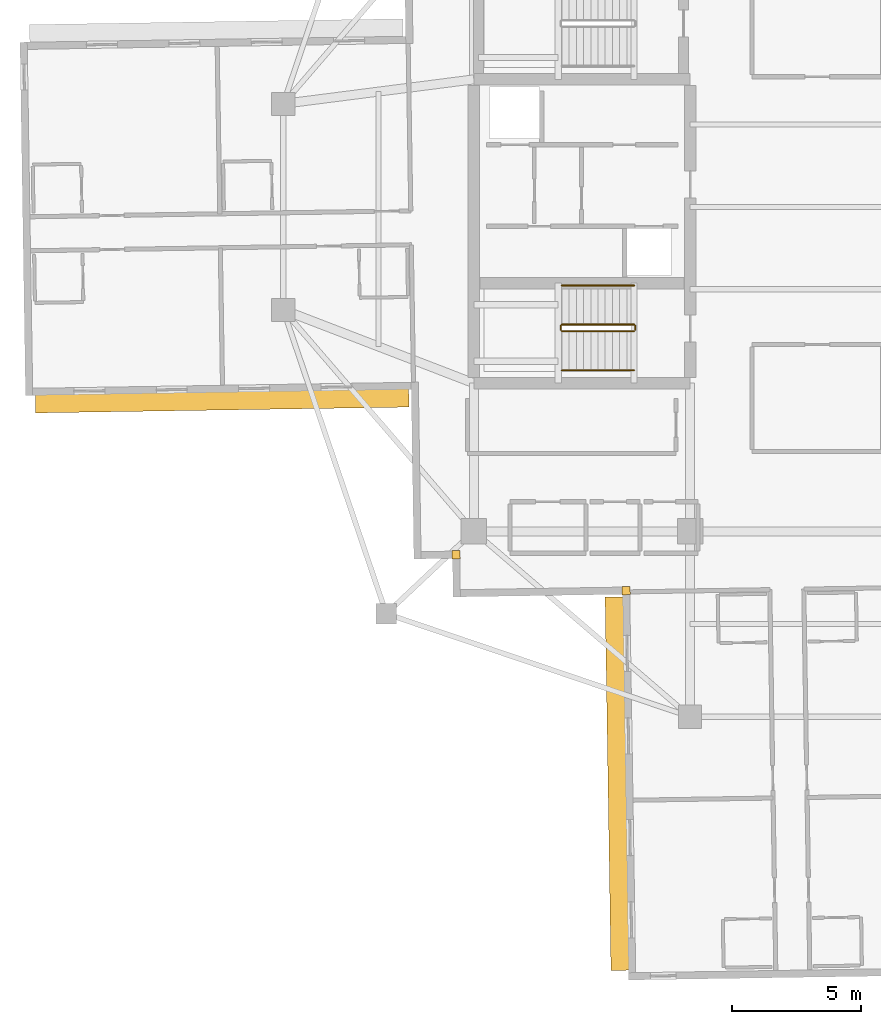
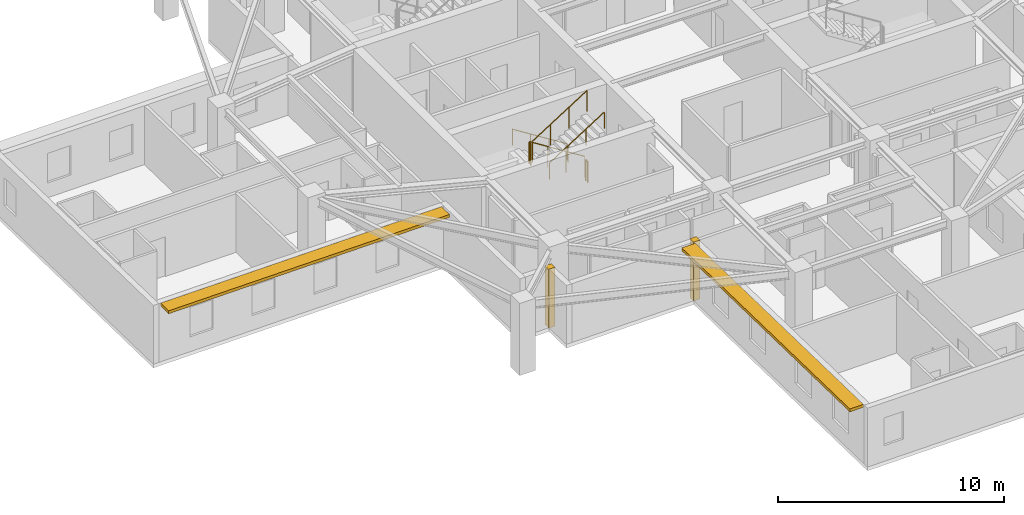
# One storey, part 10 of 13: 6 railings, 2 coverings, 2 shading devices.
"""IFC4 building model written with IfcOpenShell, lengths in metres."""

from ifc_helpers import new_model, si_unit, direction, frame, origin, origin_2d, place, context, subcontext, project, spatial, rectangle, circle, extrude, material, layer, layer_set, type_object, element, save


model = new_model("IFC4")

# Units and contexts
model_context = context("Model", 3, precision=1e-05, world=origin(), true_north=direction((0.0, 1.0)))
body_context = subcontext(model_context, "Body", "Model", "MODEL_VIEW")
ifc_project = project(units=[si_unit("LENGTHUNIT", "METRE"), si_unit("AREAUNIT", "SQUARE_METRE"), si_unit("VOLUMEUNIT", "CUBIC_METRE"), si_unit("PLANEANGLEUNIT", "RADIAN"), si_unit("MASSUNIT", "GRAM", prefix="KILO")], contexts=[model_context])

# Site, building, storey
site_placement = place(None, origin())
site = spatial("IfcSite", under=ifc_project, at=site_placement, CompositionType="ELEMENT")
building_placement = place(site_placement, origin())
building = spatial("IfcBuilding", under=site, at=building_placement, Name="Qingluan Cross Belvedere", CompositionType="ELEMENT")
storey_placement = place(building_placement, frame((0.0, 0.0, 220.800048828125)))
storey = spatial("IfcBuildingStorey", under=building, at=storey_placement, Name="L55", CompositionType="ELEMENT", Elevation=220.800048828125)

# Coverings
ifc_material_1 = material(Name="Precast concrete C45", Category="concrete")
ifc_layer_1 = layer(ifc_material_1, 0.1201171875, Name="ConcreteSpandrelCladding_120")
ifc_layer_set_1 = layer_set([ifc_layer_1], Name="Precast concrete C45")
covering_type = type_object("IfcCoveringType", Name="ConcreteSpandrelCladding_120", PredefinedType="CLADDING", material=ifc_layer_set_1)
for number, where, z_axis, x_axis, name in (
    (1, (-13.089599609375, -13.50732421875, 0.0), (0.0, 0.0, 1.0), (0.999876632482, 0.015707317312, 0.0), "Corner closure L55-SW1"),
    (2, (-6.48681640625, -14.90380859375, 0.0), (0.0, 0.0, 1.0), (0.999876632482, 0.015707317312, 0.0), "Corner closure L55-SW2"),
):
    element("IfcCovering", number, at=place(storey_placement, frame(where, z_axis=z_axis, x_axis=x_axis)), inside=storey, type_object=covering_type, Name=name, PredefinedType="CLADDING", context=body_context, shape_type="SweptSolid", body=[
        extrude(rectangle(XDim=0.320068359375, YDim=0.320068359375, at=origin_2d()), origin(), (0.0, 0.0, 1.0), 3.179931640625),
    ])

# Shading devices
ifc_material_2 = material(Name="Precast concrete C45", Category="concrete")
ifc_layer_2 = layer(ifc_material_2, 0.139892578125, Name="ConcreteSunshadeBand_700")
ifc_layer_set_2 = layer_set([ifc_layer_2], Name="Precast concrete C45")
shading_device_type = type_object("IfcShadingDeviceType", Name="ConcreteSunshadeBand_700", PredefinedType="USERDEFINED", material=ifc_layer_set_2)
for number, where, z_axis, x_axis, name in (
    (3, (-22.17431640625, -7.539306640625, 3.0), (0.0, 0.0, 1.0), (0.999876630106, 0.015707468526, 0.0), "Concrete SUNSHADE L55-WB"),
    (4, (-6.839111328125, -22.400146484375, 3.0), (0.0, 0.0, 1.0), (0.015707468526, -0.999876630106, 0.0), "Concrete SUNSHADE L55-SA"),
):
    element("IfcShadingDevice", number, at=place(storey_placement, frame(where, z_axis=z_axis, x_axis=x_axis)), inside=storey, type_object=shading_device_type, Name=name, ObjectType="SUNSHADE", PredefinedType="USERDEFINED", context=body_context, shape_type="SweptSolid", body=[
        extrude(rectangle(XDim=14.5, YDim=0.699951171875, at=origin_2d()), origin(), (0.0, 0.0, 1.0), 0.159912109375),
    ])

# Railings
ifc_material_3 = material(Name="Brushed stainless steel tubular handrail", Category="steel")
railing_type_1 = type_object("IfcRailingType", Name="StairPitchHandrail_900", PredefinedType="HANDRAIL", material=ifc_material_3)
railing_1_placement = place(storey_placement, frame((-6.179931640625, -3.050048828125, 0.17724609375)))
element("IfcRailing", 5, at=railing_1_placement, inside=storey, type_object=railing_type_1, Name="L55 ST1 stair handrail 1", PredefinedType="HANDRAIL", context=body_context, shape_type="SweptSolid", body=[
    extrude(circle(Radius=0.02392578125, at=origin_2d()), frame((0.0, 0.0, 0.8759765625), z_axis=(-0.844908973607, 0.0, 0.534910110503), x_axis=(0.0, -1.0, 0.0)), (0.0, 0.0, 1.0), 3.31396484375),
    extrude(circle(Radius=0.02099609375, at=origin_2d()), origin(), (0.0, 0.0, 1.0), 0.851806640625),
    extrude(circle(Radius=0.02099609375, at=origin_2d()), frame((-0.933349609375, 0.0, 0.5908203125)), (0.0, 0.0, 1.0), 0.851806640625),
    extrude(circle(Radius=0.02099609375, at=origin_2d()), frame((-1.86669921875, 0.0, 1.181884765625)), (0.0, 0.0, 1.0), 0.851806640625),
    extrude(circle(Radius=0.02099609375, at=origin_2d()), frame((-2.800048828125, 0.0, 1.772705078125)), (0.0, 0.0, 1.0), 0.851806640625),
])
railing_2_placement = place(storey_placement, frame((-8.97998046875, -6.35009765625, 2.127197265625)))
element("IfcRailing", 6, at=railing_2_placement, inside=storey, type_object=railing_type_1, Name="L55 ST1 stair handrail 2", PredefinedType="HANDRAIL", context=body_context, shape_type="SweptSolid", body=[
    extrude(circle(Radius=0.02392578125, at=origin_2d()), frame((0.0, 0.0, 0.8759765625), z_axis=(0.844908973607, 0.0, 0.534910110503), x_axis=(0.0, 1.0, 0.0)), (0.0, 0.0, 1.0), 3.31396484375),
    extrude(circle(Radius=0.02099609375, at=origin_2d()), origin(), (0.0, 0.0, 1.0), 0.851806640625),
    extrude(circle(Radius=0.02099609375, at=origin_2d()), frame((0.933349609375, 0.0, 0.5908203125)), (0.0, 0.0, 1.0), 0.851806640625),
    extrude(circle(Radius=0.02099609375, at=origin_2d()), frame((1.86669921875, 0.0, 1.181884765625)), (0.0, 0.0, 1.0), 0.851806640625),
    extrude(circle(Radius=0.02099609375, at=origin_2d()), frame((2.800048828125, 0.0, 1.772705078125)), (0.0, 0.0, 1.0), 0.851806640625),
])
ifc_material_4 = material(Name="Painted steel stair well guard", Category="steel")
railing_type_2 = type_object("IfcRailingType", Name="StairWellGuard_1150", PredefinedType="BALUSTRADE", material=ifc_material_4)
railing_3_placement = place(storey_placement, frame((-6.179931640625, -4.570068359375, 0.17724609375)))
element("IfcRailing", 7, at=railing_3_placement, inside=storey, type_object=railing_type_2, Name="L55 ST1 stair guard 1", PredefinedType="BALUSTRADE", context=body_context, shape_type="SweptSolid", body=[
    extrude(circle(Radius=0.02392578125, at=origin_2d()), frame((0.0, 0.0, 1.1259765625), z_axis=(-0.844908973607, 0.0, 0.534910110503), x_axis=(0.0, -1.0, 0.0)), (0.0, 0.0, 1.0), 3.31396484375),
    extrude(circle(Radius=0.02099609375, at=origin_2d()), origin(), (0.0, 0.0, 1.0), 1.101806640625),
    extrude(circle(Radius=0.02099609375, at=origin_2d()), frame((-0.933349609375, 0.0, 0.5908203125)), (0.0, 0.0, 1.0), 1.101806640625),
    extrude(circle(Radius=0.02099609375, at=origin_2d()), frame((-1.86669921875, 0.0, 1.181884765625)), (0.0, 0.0, 1.0), 1.101806640625),
    extrude(circle(Radius=0.02099609375, at=origin_2d()), frame((-2.800048828125, 0.0, 1.772705078125)), (0.0, 0.0, 1.0), 1.101806640625),
])
railing_4_placement = place(storey_placement, frame((-9.030029296875, -4.6201171875, 1.949951171875)))
element("IfcRailing", 8, at=railing_4_placement, inside=storey, type_object=railing_type_2, Name="L55 ST1 stair guard 2", PredefinedType="BALUSTRADE", context=body_context, shape_type="SweptSolid", body=[
    extrude(circle(Radius=0.02392578125, at=origin_2d()), frame((0.0, 0.0, 1.1259765625), z_axis=(0.0, -1.0, 0.0), x_axis=(1.0, 0.0, 0.0)), (0.0, 0.0, 1.0), 0.159912109375),
    extrude(circle(Radius=0.02099609375, at=origin_2d()), origin(), (0.0, 0.0, 1.0), 1.101806640625),
    extrude(circle(Radius=0.02099609375, at=origin_2d()), frame((0.0, -0.159912109375, 0.0)), (0.0, 0.0, 1.0), 1.101806640625),
])
railing_5_placement = place(storey_placement, frame((-8.97998046875, -4.830078125, 2.127197265625)))
element("IfcRailing", 9, at=railing_5_placement, inside=storey, type_object=railing_type_2, Name="L55 ST1 stair guard 3", PredefinedType="BALUSTRADE", context=body_context, shape_type="SweptSolid", body=[
    extrude(circle(Radius=0.02392578125, at=origin_2d()), frame((0.0, 0.0, 1.1259765625), z_axis=(0.844908973607, 0.0, 0.534910110503), x_axis=(0.0, 1.0, 0.0)), (0.0, 0.0, 1.0), 3.31396484375),
    extrude(circle(Radius=0.02099609375, at=origin_2d()), origin(), (0.0, 0.0, 1.0), 1.101806640625),
    extrude(circle(Radius=0.02099609375, at=origin_2d()), frame((0.933349609375, 0.0, 0.5908203125)), (0.0, 0.0, 1.0), 1.101806640625),
    extrude(circle(Radius=0.02099609375, at=origin_2d()), frame((1.86669921875, 0.0, 1.181884765625)), (0.0, 0.0, 1.0), 1.101806640625),
    extrude(circle(Radius=0.02099609375, at=origin_2d()), frame((2.800048828125, 0.0, 1.772705078125)), (0.0, 0.0, 1.0), 1.101806640625),
])
railing_6_placement = place(storey_placement, frame((-6.1298828125, -4.6201171875, 0.0)))
element("IfcRailing", 10, at=railing_6_placement, inside=storey, type_object=railing_type_2, Name="L55 ST1 stair guard 4", PredefinedType="BALUSTRADE", context=body_context, shape_type="SweptSolid", body=[
    extrude(circle(Radius=0.02392578125, at=origin_2d()), frame((0.0, 0.0, 1.1259765625), z_axis=(0.0, -1.0, 0.0), x_axis=(1.0, 0.0, 0.0)), (0.0, 0.0, 1.0), 0.159912109375),
    extrude(circle(Radius=0.02099609375, at=origin_2d()), origin(), (0.0, 0.0, 1.0), 1.101806640625),
    extrude(circle(Radius=0.02099609375, at=origin_2d()), frame((0.0, -0.159912109375, 0.0)), (0.0, 0.0, 1.0), 1.101806640625),
])

save(model, "model.ifc")
